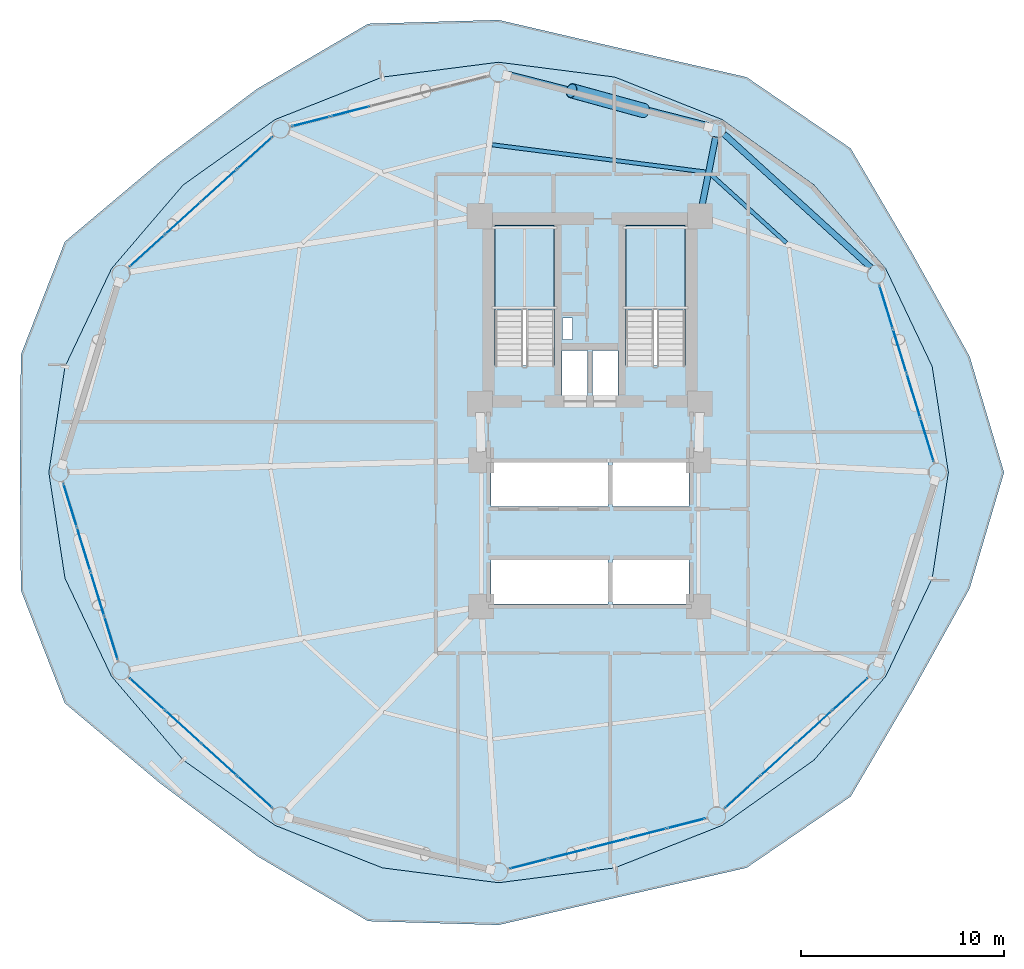
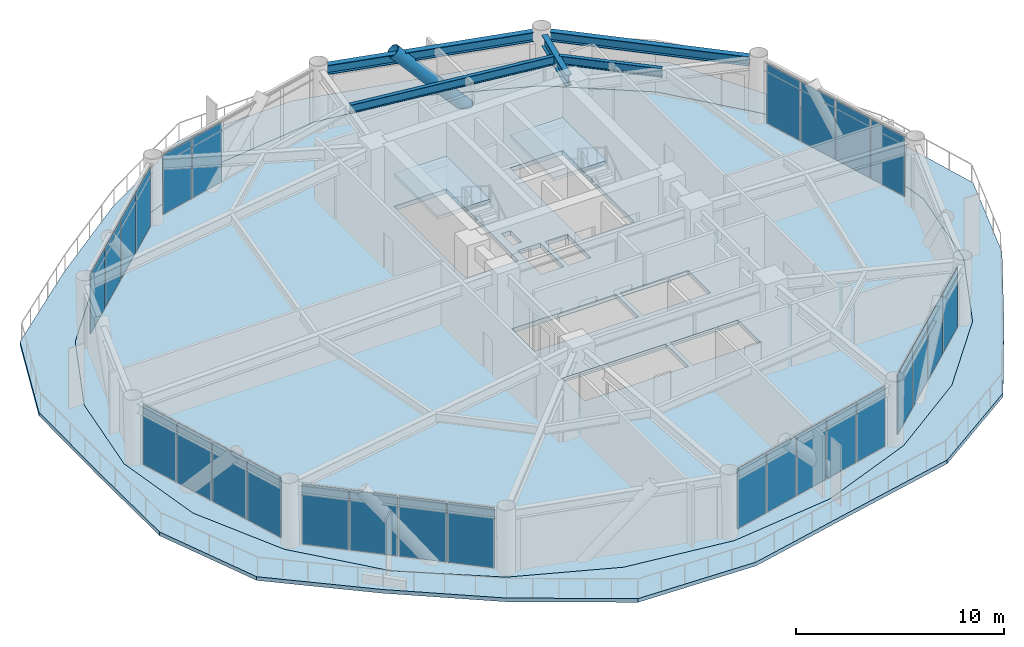
# One storey, part 16 of 22: 27 plates, 5 beams, 4 slabs, 1 member, 9 elements without a shape of their own.
"""IFC4 building model written with IfcOpenShell, lengths in metres."""

from ifc_helpers import new_model, si_unit, direction, frame, origin, origin_2d, place, context, subcontext, project, spatial, polyline, rectangle, hollow_circle, i_section, outline, extrude, source, transform, mapped, material, layer, layer_set, material_profile, profile_set, type_object, type_shapes, element, aggregate, save


model = new_model("IFC4")

# Units and contexts
model_context = context("Model", 3, precision=1e-05, world=origin(), true_north=direction((0.0, 1.0)))
body_context = subcontext(model_context, "Body", "Model", "MODEL_VIEW")
ifc_project = project(units=[si_unit("LENGTHUNIT", "METRE"), si_unit("AREAUNIT", "SQUARE_METRE"), si_unit("VOLUMEUNIT", "CUBIC_METRE"), si_unit("PLANEANGLEUNIT", "RADIAN"), si_unit("MASSUNIT", "GRAM", prefix="KILO")], contexts=[model_context])

# Site, building, storey
site_placement = place(None, origin())
site = spatial("IfcSite", under=ifc_project, at=site_placement, CompositionType="ELEMENT")
building_placement = place(site_placement, origin())
building = spatial("IfcBuilding", under=site, at=building_placement, Name="Varnakorn Sky Granary", CompositionType="ELEMENT")
storey_placement = place(building_placement, frame((0.0, 0.0, 66.60009765625)))
storey = spatial("IfcBuildingStorey", under=building, at=storey_placement, Name="L16", CompositionType="ELEMENT", Elevation=66.60009765625)

# Beams
ifc_material_1 = material(Name="Steel S355JR", Category="steel")
ifc_material_profile_1 = material_profile(ifc_material_1, i_section(OverallWidth=0.300048828125, OverallDepth=0.64990234375, WebThickness=0.01611328125, FlangeThickness=0.031005859375, at=origin_2d()), Name="HE 650 B")
ifc_profile_set_1 = profile_set([ifc_material_profile_1], Name="Steel S355JR")
beam_type_1 = type_object("IfcBeamType", Name="BM-RAD-Z1", PredefinedType="BEAM", material=ifc_profile_set_1)
beam_1_placement = place(storey_placement, frame((8.50146484375, 13.031982421875, 3.31494140625), z_axis=(0.193880644879, 0.981025124827, 0.0), x_axis=(-0.981025124827, 0.193880644879, 0.0)))
element("IfcBeam", 1, at=beam_1_placement, inside=storey, type_object=beam_type_1, Name="Radial Floor Girder RG03 L16", PredefinedType="BEAM", context=body_context, shape_type="SweptSolid", body=[
    extrude(i_section(OverallWidth=0.300048828125, OverallDepth=0.64990234375, WebThickness=0.01611328125, FlangeThickness=0.031005859375, at=origin_2d()), origin(), (0.0, 0.0, 1.0), 3.5712890625),
])
ifc_material_profile_2 = material_profile(ifc_material_1, i_section(OverallWidth=0.199951171875, OverallDepth=0.5, WebThickness=0.01025390625, FlangeThickness=0.01611328125, at=origin_2d()), Name="IPE 500")
ifc_profile_set_2 = profile_set([ifc_material_profile_2], Name="Steel S355JR")
beam_type_2 = type_object("IfcBeamType", Name="BM-SEC-Z1", PredefinedType="BEAM", material=ifc_profile_set_2)
beam_2_placement = place(storey_placement, frame((12.68115234375, 11.305908203125, 3.389892578125), z_axis=(-0.740619723009, 0.671924419775, 0.0), x_axis=(-0.671924419775, -0.740619723009, 0.0)))
element("IfcBeam", 2, at=beam_2_placement, inside=storey, type_object=beam_type_2, Name="Secondary Floor Chord Beam MSB02 L16", PredefinedType="BEAM", context=body_context, shape_type="SweptSolid", body=[
    extrude(i_section(OverallWidth=0.199951171875, OverallDepth=0.5, WebThickness=0.01025390625, FlangeThickness=0.01611328125, at=origin_2d()), origin(), (0.0, 0.0, 1.0), 5.035888671875),
])
beam_3_placement = place(storey_placement, frame((8.708740234375, 14.801513671875, 3.389892578125), z_axis=(-0.991948980619, 0.126638145314, 0.0), x_axis=(-0.126638145314, -0.991948980619, 0.0)))
element("IfcBeam", 3, at=beam_3_placement, inside=storey, type_object=beam_type_2, Name="Secondary Floor Chord Beam MSB03 L16", PredefinedType="BEAM", context=body_context, shape_type="SweptSolid", body=[
    extrude(i_section(OverallWidth=0.199951171875, OverallDepth=0.5, WebThickness=0.01025390625, FlangeThickness=0.01611328125, at=origin_2d()), origin(), (0.0, 0.0, 1.0), 10.61669921875),
])
ifc_material_profile_3 = material_profile(ifc_material_1, i_section(OverallWidth=0.300048828125, OverallDepth=0.550048828125, WebThickness=0.014892578125, FlangeThickness=0.029052734375, at=origin_2d()), Name="HE 550 B")
ifc_profile_set_3 = profile_set([ifc_material_profile_3], Name="Steel S355JR")
beam_type_3 = type_object("IfcBeamType", Name="BM-SPD-Z1", PredefinedType="SPANDREL", material=ifc_profile_set_3)
beam_4_placement = place(storey_placement, frame((16.843505859375, 10.09423828125, 3.364990234375), z_axis=(-0.740018014029, 0.67258704932, 0.0), x_axis=(-0.67258704932, -0.740018014029, 0.0)))
element("IfcBeam", 4, at=beam_4_placement, inside=storey, type_object=beam_type_3, Name="Perimeter Spandrel Ring Beam RB02 L16", PredefinedType="SPANDREL", context=body_context, shape_type="SweptSolid", body=[
    extrude(i_section(OverallWidth=0.300048828125, OverallDepth=0.550048828125, WebThickness=0.014892578125, FlangeThickness=0.029052734375, at=origin_2d()), origin(), (0.0, 0.0, 1.0), 9.779296875),
])
beam_5_placement = place(storey_placement, frame((8.851318359375, 17.07861328125, 3.364990234375), z_axis=(-0.968748648777, 0.248044462734, 0.0), x_axis=(-0.248044462734, -0.968748648777, 0.0)))
element("IfcBeam", 5, at=beam_5_placement, inside=storey, type_object=beam_type_3, Name="Perimeter Spandrel Ring Beam RB03 L16", PredefinedType="SPANDREL", context=body_context, shape_type="SweptSolid", body=[
    extrude(i_section(OverallWidth=0.300048828125, OverallDepth=0.550048828125, WebThickness=0.014892578125, FlangeThickness=0.029052734375, at=origin_2d()), origin(), (0.0, 0.0, 1.0), 10.2431640625),
])

# Member
ifc_material_2 = material(Name="Steel S460M", Category="steel")
ifc_material_profile_4 = material_profile(ifc_material_2, hollow_circle(Radius=0.35546875, WallThickness=0.02490234375, at=origin_2d()), Name="CHS 711x25")
ifc_profile_set_4 = profile_set([ifc_material_profile_4], Name="Steel S460M")
member_type = type_object("IfcMemberType", Name="MB-DIAG-T0", PredefinedType="BRACE", material=ifc_profile_set_4)
member_placement = place(storey_placement, frame((5.657958984375, 17.827880859375, -0.130126953125), z_axis=(-0.661541626909, 0.182092719577, 0.727464718968), x_axis=(-0.265385153364, -0.964142479291, 0.0)))
element("IfcMember", 6, at=member_placement, inside=storey, type_object=member_type, Name="Perimeter CHS Diagrid Brace DG03 L16", PredefinedType="BRACE", context=body_context, shape_type="SweptSolid", body=[
    extrude(hollow_circle(Radius=0.35546875, WallThickness=0.02490234375, at=origin_2d()), origin(), (0.0, 0.0, 1.0), 5.388427734375),
])

# Stair, slab
ifc_material_3 = material(Name="Concrete C40/50", Category="concrete")
stair_type = type_object("IfcStairType", Name="ST-MAIN-ASSEMBLY", PredefinedType="HALF_TURN_STAIR", material=ifc_material_3)
stair_1_placement = place(storey_placement, origin())
stair_1 = element("IfcStair", 7, at=stair_1_placement, inside=storey, type_object=stair_type, Name="L16 Protected Exit Stair ST-1", PredefinedType="HALF_TURN_STAIR")
ifc_layer_1 = layer(ifc_material_3, 0.199951171875, Name="Concrete C40/50")
ifc_layer_set_1 = layer_set([ifc_layer_1], Name="Concrete C40/50")
slab_type_1 = type_object("IfcSlabType", Name="ST-MAIN-LAND", PredefinedType="LANDING", material=ifc_layer_set_1)
slab_1_placement = place(storey_placement, frame((0.0, 0.0, 1.75)))
slab_1 = element("IfcSlab", 8, at=slab_1_placement, type_object=slab_type_1, Name="ST-1 landing 1", PredefinedType="LANDING", context=body_context, shape_type="SweptSolid", body=[
    extrude(outline(polyline([(1.239990234375, 8.0), (1.239990234375, 12.179931640625), (-1.669921875, 12.179931640625), (-1.669921875, 8.0), (1.239990234375, 8.0)])), origin(), (0.0, 0.0, 1.0), 0.199951171875),
])
aggregate(stair_1, [slab_1])

stair_2_placement = place(storey_placement, origin())
stair_2 = element("IfcStair", 9, at=stair_2_placement, inside=storey, type_object=stair_type, Name="L16 Protected Exit Stair ST-2", PredefinedType="HALF_TURN_STAIR")
slab_2_placement = place(storey_placement, frame((0.0, 0.0, 1.75)))
slab_2 = element("IfcSlab", 10, at=slab_2_placement, type_object=slab_type_1, Name="ST-2 landing 1", PredefinedType="LANDING", context=body_context, shape_type="SweptSolid", body=[
    extrude(outline(polyline([(7.679931640625, 8.0), (7.679931640625, 12.179931640625), (4.77001953125, 12.179931640625), (4.77001953125, 8.0), (7.679931640625, 8.0)])), origin(), (0.0, 0.0, 1.0), 0.199951171875),
])
aggregate(stair_2, [slab_2])

# Slabs
ifc_material_4 = material(Name="Precast concrete C40/50", Category="concrete")
ifc_layer_2 = layer(ifc_material_4, 0.219970703125, Name="Precast concrete C40/50")
ifc_layer_set_2 = layer_set([ifc_layer_2], Name="Precast concrete C40/50")
slab_type_2 = type_object("IfcSlabType", Name="ST-SL-DECK-220", PredefinedType="FLOOR", material=ifc_layer_set_2)
slab_3_placement = place(storey_placement, frame((0.0, 0.0, -0.22021484375)))
element("IfcSlab", 11, at=slab_3_placement, inside=storey, type_object=slab_type_2, Name="Wavy Sky-Farm Balcony Deck L16", PredefinedType="FLOOR", context=body_context, shape_type="SweptSolid", body=[
    extrude(outline(polyline([(23.39892578125, 0.0), (21.70458984375, 5.713623046875), (18.879638671875, 10.792724609375), (15.84228515625, 15.965576171875), (10.717041015625, 19.474365234375), (4.596923828125, 20.873291015625), (-1.5, 22.2919921875), (-7.927001953125, 22.104736328125), (-13.386962890625, 18.902587890625), (-18.182373046875, 15.305419921875), (-22.86962890625, 11.3642578125), (-25.03466796875, 5.80224609375), (-25.0791015625, 0.0), (-25.03466796875, -5.80224609375), (-22.86962890625, -11.3642578125), (-18.182373046875, -15.305419921875), (-13.386962890625, -18.902587890625), (-7.927001953125, -22.104736328125), (-1.5, -22.2919921875), (4.596923828125, -20.873291015625), (10.717041015625, -19.474365234375), (15.84228515625, -15.965576171875), (18.879638671875, -10.792724609375), (21.70458984375, -5.713623046875), (23.39892578125, 0.0)]), holes=[polyline([(20.658935546875, 0.0), (19.860595703125, 5.219482421875), (17.5732421875, 10.03857421875), (14.04150390625, 14.164794921875), (9.511962890625, 17.38720703125), (4.223388671875, 19.479736328125), (-1.5, 20.2119140625), (-7.223388671875, 19.479736328125), (-12.511962890625, 17.38720703125), (-17.04150390625, 14.164794921875), (-20.5732421875, 10.03857421875), (-22.860595703125, 5.219482421875), (-23.658935546875, 0.0), (-22.860595703125, -5.219482421875), (-20.5732421875, -10.03857421875), (-17.04150390625, -14.164794921875), (-12.511962890625, -17.38720703125), (-7.223388671875, -19.479736328125), (-1.5, -20.2119140625), (4.223388671875, -19.479736328125), (9.511962890625, -17.38720703125), (14.04150390625, -14.164794921875), (17.5732421875, -10.03857421875), (19.860595703125, -5.219482421875), (20.658935546875, 0.0)])]), origin(), (0.0, 0.0, 1.0), 0.22021484375),
])
ifc_material_5 = material(Name="Concrete C50/60", Category="concrete")
ifc_layer_3 = layer(ifc_material_5, 0.260009765625, Name="Concrete C50/60")
ifc_layer_set_3 = layer_set([ifc_layer_3], Name="Concrete C50/60")
slab_type_3 = type_object("IfcSlabType", Name="ST-SL-TWR-260", PredefinedType="FLOOR", material=ifc_layer_set_3)
slab_4_placement = place(storey_placement, frame((0.0, 0.0, -0.260009765625)))
element("IfcSlab", 12, at=slab_4_placement, inside=storey, type_object=slab_type_3, Name="Level L16 Structural Floor Slab", PredefinedType="FLOOR", context=body_context, shape_type="SweptSolid", body=[
    extrude(outline(polyline([(20.658935546875, 0.0), (19.860595703125, 5.219482421875), (17.5732421875, 10.03857421875), (14.04150390625, 14.164794921875), (9.511962890625, 17.38720703125), (4.223388671875, 19.479736328125), (-1.5, 20.2119140625), (-7.223388671875, 19.479736328125), (-12.511962890625, 17.38720703125), (-17.04150390625, 14.164794921875), (-20.5732421875, 10.03857421875), (-22.860595703125, 5.219482421875), (-23.658935546875, 0.0), (-22.860595703125, -5.219482421875), (-20.5732421875, -10.03857421875), (-17.04150390625, -14.164794921875), (-12.511962890625, -17.38720703125), (-7.223388671875, -19.479736328125), (-1.5, -20.2119140625), (4.223388671875, -19.479736328125), (9.511962890625, -17.38720703125), (14.04150390625, -14.164794921875), (17.5732421875, -10.03857421875), (19.860595703125, -5.219482421875), (20.658935546875, 0.0)]), holes=[polyline([(1.239990234375, 5.27490234375), (1.239990234375, 12.179931640625), (-1.669921875, 12.179931640625), (-1.669921875, 5.27490234375), (1.239990234375, 5.27490234375)]), polyline([(7.679931640625, 5.27490234375), (7.679931640625, 12.179931640625), (4.77001953125, 12.179931640625), (4.77001953125, 5.27490234375), (7.679931640625, 5.27490234375)]), polyline([(1.659912109375, 6.550048828125), (2.14990234375, 6.550048828125), (2.14990234375, 7.6201171875), (1.659912109375, 7.6201171875), (1.659912109375, 6.550048828125)]), polyline([(1.6201171875, 3.739990234375), (2.8798828125, 3.739990234375), (2.8798828125, 6.010009765625), (1.6201171875, 6.010009765625), (1.6201171875, 3.739990234375)]), polyline([(3.1201171875, 3.739990234375), (4.3798828125, 3.739990234375), (4.3798828125, 6.010009765625), (3.1201171875, 6.010009765625), (3.1201171875, 3.739990234375)]), polyline([(-1.8798828125, -1.679931640625), (3.8798828125, -1.679931640625), (3.8798828125, 0.47998046875), (-1.8798828125, 0.47998046875), (-1.8798828125, -1.679931640625)]), polyline([(4.1201171875, -1.679931640625), (7.8798828125, -1.679931640625), (7.8798828125, 0.47998046875), (4.1201171875, 0.47998046875), (4.1201171875, -1.679931640625)]), polyline([(-1.8798828125, -6.47998046875), (3.8798828125, -6.47998046875), (3.8798828125, -4.320068359375), (-1.8798828125, -4.320068359375), (-1.8798828125, -6.47998046875)]), polyline([(4.1201171875, -6.47998046875), (7.8798828125, -6.47998046875), (7.8798828125, -4.320068359375), (4.1201171875, -4.320068359375), (4.1201171875, -6.47998046875)])]), origin(), (0.0, 0.0, 1.0), 0.260009765625),
])

# Curtain wall, plates
ifc_material_6 = material(Name="Anodised Bronze Aluminium Alloy 6063-T6", Category="aluminium")
ifc_layer_4 = layer(ifc_material_6, 0.18994140625, Name="Anodised Bronze Aluminium Alloy 6063-T6")
ifc_layer_set_4 = layer_set([ifc_layer_4], Name="Anodised Bronze Aluminium Alloy 6063-T6")
curtain_wall_type = type_object("IfcCurtainWallType", Name="CW-FRM-1", PredefinedType="USERDEFINED", material=ifc_layer_set_4)
curtain_wall_1_placement = place(storey_placement, origin())
curtain_wall_1 = element("IfcCurtainWall", 13, at=curtain_wall_1_placement, inside=storey, type_object=curtain_wall_type, Name="Unitised Curtain Wall CW3 CW-L16-B01", ObjectType="CURTAIN WALL", PredefinedType="USERDEFINED")
ifc_material_7 = material(Name="Low-E Tinted Laminated Glass", Category="glass")
ifc_layer_5 = layer(ifc_material_7, 0.028076171875, Name="Low-E Tinted Laminated Glass")
ifc_layer_set_5 = layer_set([ifc_layer_5], Name="Low-E Tinted Laminated Glass")
plate_type = type_object("IfcPlateType", Name="CW-FRM-1-PNL", PredefinedType="CURTAIN_PANEL")
shared_shape_1 = source(origin(), body_context, "Body", "SweptSolid", [
    extrude(rectangle(XDim=2.19091796875, YDim=0.028076171875, at=origin_2d()), origin(), (0.0, 0.0, 1.0), 3.5),
])
plate_1_placement = place(storey_placement, frame((17.593017578125, 8.15576171875, 0.06982421875), z_axis=(0.0, 0.0, 1.0), x_axis=(0.2947866674, -0.955563090917, 0.0)))
plate_1 = element("IfcPlate", 14, at=plate_1_placement, type_object=plate_type, material=ifc_layer_set_5, Name="CW3 vision glazing unit 1.1", PredefinedType="CURTAIN_PANEL", context=body_context, shape_type="MappedRepresentation", body=[
    mapped(shared_shape_1, transform((0.0, 0.0, 0.0), x_axis=(1.0, 0.0, 0.0), y_axis=(0.0, 1.0, 0.0), z_axis=(0.0, 0.0, 1.0), scale=1.0)),
])
plate_2_placement = place(storey_placement, frame((19.613037109375, 1.607666015625, 0.06982421875), z_axis=(0.0, 0.0, 1.0), x_axis=(0.2947866674, -0.955563090917, 0.0)))
plate_2 = element("IfcPlate", 15, at=plate_2_placement, type_object=plate_type, material=ifc_layer_set_5, Name="CW3 vision glazing unit 4.1", PredefinedType="CURTAIN_PANEL", context=body_context, shape_type="MappedRepresentation", body=[
    mapped(shared_shape_1, transform((0.0, 0.0, 0.0), x_axis=(1.0, 0.0, 0.0), y_axis=(0.0, 1.0, 0.0), z_axis=(0.0, 0.0, 1.0), scale=1.0)),
])

curtain_wall_2_placement = place(storey_placement, origin())
curtain_wall_2 = element("IfcCurtainWall", 16, at=curtain_wall_2_placement, inside=storey, type_object=curtain_wall_type, Name="Unitised Curtain Wall CW3 CW-L16-B07", ObjectType="CURTAIN WALL", PredefinedType="USERDEFINED")
plate_3_placement = place(storey_placement, frame((-20.593017578125, -8.15576171875, 0.06982421875), z_axis=(0.0, 0.0, 1.0), x_axis=(-0.2947866674, 0.955563090917, 0.0)))
plate_3 = element("IfcPlate", 17, at=plate_3_placement, type_object=plate_type, material=ifc_layer_set_5, Name="CW3 vision glazing unit 1.1", PredefinedType="CURTAIN_PANEL", context=body_context, shape_type="MappedRepresentation", body=[
    mapped(shared_shape_1, transform((0.0, 0.0, 0.0), x_axis=(1.0, 0.0, 0.0), y_axis=(0.0, 1.0, 0.0), z_axis=(0.0, 0.0, 1.0), scale=1.0)),
])
plate_4_placement = place(storey_placement, frame((-22.613037109375, -1.607666015625, 0.06982421875), z_axis=(0.0, 0.0, 1.0), x_axis=(-0.2947866674, 0.955563090917, 0.0)))
plate_4 = element("IfcPlate", 18, at=plate_4_placement, type_object=plate_type, material=ifc_layer_set_5, Name="CW3 vision glazing unit 4.1", PredefinedType="CURTAIN_PANEL", context=body_context, shape_type="MappedRepresentation", body=[
    mapped(shared_shape_1, transform((0.0, 0.0, 0.0), x_axis=(1.0, 0.0, 0.0), y_axis=(0.0, 1.0, 0.0), z_axis=(0.0, 0.0, 1.0), scale=1.0)),
])

# Plate
ifc_material_8 = material(Name="Opaque Insulated Aluminium Shadow-Box Unit", Category="aluminium")
ifc_layer_6 = layer(ifc_material_8, 0.028076171875, Name="Opaque Insulated Aluminium Shadow-Box Unit")
ifc_layer_set_6 = layer_set([ifc_layer_6], Name="Opaque Insulated Aluminium Shadow-Box Unit")
shared_shape_2 = source(origin(), body_context, "Body", "SweptSolid", [
    extrude(rectangle(XDim=2.225830078125, YDim=0.028076171875, at=origin_2d()), origin(), (0.0, 0.0, 1.0), 3.5),
])
plate_5_placement = place(storey_placement, frame((18.2646484375, 5.978759765625, 0.06982421875), z_axis=(0.0, 0.0, 1.0), x_axis=(0.2947866674, -0.955563090917, 0.0)))
plate_5 = element("IfcPlate", 19, at=plate_5_placement, type_object=plate_type, material=ifc_layer_set_6, Name="CW3 opaque insulated shadow-box unit 2.1", PredefinedType="CURTAIN_PANEL", context=body_context, shape_type="MappedRepresentation", body=[
    mapped(shared_shape_2, transform((0.0, 0.0, 0.0), x_axis=(1.0, 0.0, 0.0), y_axis=(0.0, 1.0, 0.0), z_axis=(0.0, 0.0, 1.0), scale=1.0)),
])

plate_6_placement = place(storey_placement, frame((18.94140625, 3.784912109375, 0.06982421875), z_axis=(0.0, 0.0, 1.0), x_axis=(0.2947866674, -0.955563090917, 0.0)))
plate_6 = element("IfcPlate", 20, at=plate_6_placement, type_object=plate_type, material=ifc_layer_set_6, Name="CW3 opaque insulated shadow-box unit 3.1", PredefinedType="CURTAIN_PANEL", context=body_context, shape_type="MappedRepresentation", body=[
    mapped(shared_shape_2, transform((0.0, 0.0, 0.0), x_axis=(1.0, 0.0, 0.0), y_axis=(0.0, 1.0, 0.0), z_axis=(0.0, 0.0, 1.0), scale=1.0)),
])

aggregate(curtain_wall_1, [plate_1, plate_5, plate_6, plate_2])

plate_7_placement = place(storey_placement, frame((-21.2646484375, -5.978759765625, 0.06982421875), z_axis=(0.0, 0.0, 1.0), x_axis=(-0.2947866674, 0.955563090917, 0.0)))
plate_7 = element("IfcPlate", 21, at=plate_7_placement, type_object=plate_type, material=ifc_layer_set_6, Name="CW3 opaque insulated shadow-box unit 2.1", PredefinedType="CURTAIN_PANEL", context=body_context, shape_type="MappedRepresentation", body=[
    mapped(shared_shape_2, transform((0.0, 0.0, 0.0), x_axis=(1.0, 0.0, 0.0), y_axis=(0.0, 1.0, 0.0), z_axis=(0.0, 0.0, 1.0), scale=1.0)),
])

plate_8_placement = place(storey_placement, frame((-21.94140625, -3.784912109375, 0.06982421875), z_axis=(0.0, 0.0, 1.0), x_axis=(-0.2947866674, 0.955563090917, 0.0)))
plate_8 = element("IfcPlate", 22, at=plate_8_placement, type_object=plate_type, material=ifc_layer_set_6, Name="CW3 opaque insulated shadow-box unit 3.1", PredefinedType="CURTAIN_PANEL", context=body_context, shape_type="MappedRepresentation", body=[
    mapped(shared_shape_2, transform((0.0, 0.0, 0.0), x_axis=(1.0, 0.0, 0.0), y_axis=(0.0, 1.0, 0.0), z_axis=(0.0, 0.0, 1.0), scale=1.0)),
])

aggregate(curtain_wall_2, [plate_3, plate_7, plate_8, plate_4])

# Curtain wall, plate
curtain_wall_3_placement = place(storey_placement, origin())
curtain_wall_3 = element("IfcCurtainWall", 23, at=curtain_wall_3_placement, inside=storey, type_object=curtain_wall_type, Name="Unitised Curtain Wall CW3 CW-L16-B04", ObjectType="CURTAIN WALL", PredefinedType="USERDEFINED")
shared_shape_3 = source(origin(), body_context, "Body", "SweptSolid", [
    extrude(rectangle(XDim=1.905029296875, YDim=0.028076171875, at=origin_2d()), origin(), (0.0, 0.0, 1.0), 3.5),
])
plate_9_placement = place(storey_placement, frame((-10.74560546875, 17.29296875, 0.06982421875), z_axis=(0.0, 0.0, 1.0), x_axis=(0.968705900196, 0.248211359379, 0.0)))
plate_9 = element("IfcPlate", 24, at=plate_9_placement, type_object=plate_type, material=ifc_layer_set_5, Name="CW3 vision glazing unit 1.1", PredefinedType="CURTAIN_PANEL", context=body_context, shape_type="MappedRepresentation", body=[
    mapped(shared_shape_3, transform((0.0, 0.0, 0.0), x_axis=(1.0, 0.0, 0.0), y_axis=(0.0, 1.0, 0.0), z_axis=(0.0, 0.0, 1.0), scale=1.0)),
])

# Curtain wall, plates
curtain_wall_4_placement = place(storey_placement, origin())
curtain_wall_4 = element("IfcCurtainWall", 25, at=curtain_wall_4_placement, inside=storey, type_object=curtain_wall_type, Name="Unitised Curtain Wall CW3 CW-L16-B10", ObjectType="CURTAIN WALL", PredefinedType="USERDEFINED")
plate_10_placement = place(storey_placement, frame((7.74560546875, -17.29296875, 0.06982421875), z_axis=(0.0, 0.0, 1.0), x_axis=(-0.968705900196, -0.248211359379, 0.0)))
plate_10 = element("IfcPlate", 26, at=plate_10_placement, type_object=plate_type, material=ifc_layer_set_5, Name="CW3 vision glazing unit 1.1", PredefinedType="CURTAIN_PANEL", context=body_context, shape_type="MappedRepresentation", body=[
    mapped(shared_shape_3, transform((0.0, 0.0, 0.0), x_axis=(1.0, 0.0, 0.0), y_axis=(0.0, 1.0, 0.0), z_axis=(0.0, 0.0, 1.0), scale=1.0)),
])
plate_11_placement = place(storey_placement, frame((-0.0087890625, -19.27978515625, 0.06982421875), z_axis=(0.0, 0.0, 1.0), x_axis=(-0.968705900196, -0.248211359379, 0.0)))
plate_11 = element("IfcPlate", 27, at=plate_11_placement, type_object=plate_type, material=ifc_layer_set_5, Name="CW3 vision glazing unit 5.1", PredefinedType="CURTAIN_PANEL", context=body_context, shape_type="MappedRepresentation", body=[
    mapped(shared_shape_3, transform((0.0, 0.0, 0.0), x_axis=(1.0, 0.0, 0.0), y_axis=(0.0, 1.0, 0.0), z_axis=(0.0, 0.0, 1.0), scale=1.0)),
])

# Plate
shared_shape_4 = source(origin(), body_context, "Body", "SweptSolid", [
    extrude(rectangle(XDim=1.93994140625, YDim=0.028076171875, at=origin_2d()), origin(), (0.0, 0.0, 1.0), 3.5),
])
plate_12_placement = place(storey_placement, frame((-8.815673828125, 17.78759765625, 0.06982421875), z_axis=(0.0, 0.0, 1.0), x_axis=(0.968705900196, 0.248211359379, 0.0)))
plate_12 = element("IfcPlate", 28, at=plate_12_placement, type_object=plate_type, material=ifc_layer_set_6, Name="CW3 opaque insulated shadow-box unit 2.1", PredefinedType="CURTAIN_PANEL", context=body_context, shape_type="MappedRepresentation", body=[
    mapped(shared_shape_4, transform((0.0, 0.0, 0.0), x_axis=(1.0, 0.0, 0.0), y_axis=(0.0, 1.0, 0.0), z_axis=(0.0, 0.0, 1.0), scale=1.0)),
])

aggregate(curtain_wall_3, [plate_9, plate_12])

plate_13_placement = place(storey_placement, frame((5.815673828125, -17.78759765625, 0.06982421875), z_axis=(0.0, 0.0, 1.0), x_axis=(-0.968705900196, -0.248211359379, 0.0)))
plate_13 = element("IfcPlate", 29, at=plate_13_placement, type_object=plate_type, material=ifc_layer_set_6, Name="CW3 opaque insulated shadow-box unit 2.1", PredefinedType="CURTAIN_PANEL", context=body_context, shape_type="MappedRepresentation", body=[
    mapped(shared_shape_4, transform((0.0, 0.0, 0.0), x_axis=(1.0, 0.0, 0.0), y_axis=(0.0, 1.0, 0.0), z_axis=(0.0, 0.0, 1.0), scale=1.0)),
])

plate_14_placement = place(storey_placement, frame((3.868408203125, -18.286376953125, 0.06982421875), z_axis=(0.0, 0.0, 1.0), x_axis=(-0.968705900196, -0.248211359379, 0.0)))
plate_14 = element("IfcPlate", 30, at=plate_14_placement, type_object=plate_type, material=ifc_layer_set_6, Name="CW3 opaque insulated shadow-box unit 3.1", PredefinedType="CURTAIN_PANEL", context=body_context, shape_type="MappedRepresentation", body=[
    mapped(shared_shape_4, transform((0.0, 0.0, 0.0), x_axis=(1.0, 0.0, 0.0), y_axis=(0.0, 1.0, 0.0), z_axis=(0.0, 0.0, 1.0), scale=1.0)),
])

plate_15_placement = place(storey_placement, frame((1.92138671875, -18.785400390625, 0.06982421875), z_axis=(0.0, 0.0, 1.0), x_axis=(-0.968705900196, -0.248211359379, 0.0)))
plate_15 = element("IfcPlate", 31, at=plate_15_placement, type_object=plate_type, material=ifc_layer_set_6, Name="CW3 opaque insulated shadow-box unit 4.1", PredefinedType="CURTAIN_PANEL", context=body_context, shape_type="MappedRepresentation", body=[
    mapped(shared_shape_4, transform((0.0, 0.0, 0.0), x_axis=(1.0, 0.0, 0.0), y_axis=(0.0, 1.0, 0.0), z_axis=(0.0, 0.0, 1.0), scale=1.0)),
])

aggregate(curtain_wall_4, [plate_10, plate_13, plate_14, plate_15, plate_11])

# Curtain wall, plates
curtain_wall_5_placement = place(storey_placement, origin())
curtain_wall_5 = element("IfcCurtainWall", 32, at=curtain_wall_5_placement, inside=storey, type_object=curtain_wall_type, Name="Unitised Curtain Wall CW3 CW-L16-B05", ObjectType="CURTAIN WALL", PredefinedType="USERDEFINED")
shared_shape_5 = source(origin(), body_context, "Body", "SweptSolid", [
    extrude(rectangle(XDim=2.29248046875, YDim=0.028076171875, at=origin_2d()), origin(), (0.0, 0.0, 1.0), 3.5),
])
plate_16_placement = place(storey_placement, frame((-18.814697265625, 10.929443359375, 0.06982421875), z_axis=(0.0, 0.0, 1.0), x_axis=(0.739846641446, 0.672775554803, 0.0)))
plate_16 = element("IfcPlate", 33, at=plate_16_placement, type_object=plate_type, material=ifc_layer_set_5, Name="CW3 vision glazing unit 1.1", PredefinedType="CURTAIN_PANEL", context=body_context, shape_type="MappedRepresentation", body=[
    mapped(shared_shape_5, transform((0.0, 0.0, 0.0), x_axis=(1.0, 0.0, 0.0), y_axis=(0.0, 1.0, 0.0), z_axis=(0.0, 0.0, 1.0), scale=1.0)),
])
plate_17_placement = place(storey_placement, frame((-13.519287109375, 15.744873046875, 0.06982421875), z_axis=(0.0, 0.0, 1.0), x_axis=(0.739846641446, 0.672775554803, 0.0)))
plate_17 = element("IfcPlate", 34, at=plate_17_placement, type_object=plate_type, material=ifc_layer_set_5, Name="CW3 vision glazing unit 4.1", PredefinedType="CURTAIN_PANEL", context=body_context, shape_type="MappedRepresentation", body=[
    mapped(shared_shape_5, transform((0.0, 0.0, 0.0), x_axis=(1.0, 0.0, 0.0), y_axis=(0.0, 1.0, 0.0), z_axis=(0.0, 0.0, 1.0), scale=1.0)),
])

curtain_wall_6_placement = place(storey_placement, origin())
curtain_wall_6 = element("IfcCurtainWall", 35, at=curtain_wall_6_placement, inside=storey, type_object=curtain_wall_type, Name="Unitised Curtain Wall CW3 CW-L16-B08", ObjectType="CURTAIN WALL", PredefinedType="USERDEFINED")
plate_18_placement = place(storey_placement, frame((-13.519287109375, -15.744873046875, 0.06982421875), z_axis=(0.0, 0.0, 1.0), x_axis=(-0.739846641446, 0.672775554803, 0.0)))
plate_18 = element("IfcPlate", 36, at=plate_18_placement, type_object=plate_type, material=ifc_layer_set_5, Name="CW3 vision glazing unit 1.1", PredefinedType="CURTAIN_PANEL", context=body_context, shape_type="MappedRepresentation", body=[
    mapped(shared_shape_5, transform((0.0, 0.0, 0.0), x_axis=(1.0, 0.0, 0.0), y_axis=(0.0, 1.0, 0.0), z_axis=(0.0, 0.0, 1.0), scale=1.0)),
])
plate_19_placement = place(storey_placement, frame((-18.814697265625, -10.929443359375, 0.06982421875), z_axis=(0.0, 0.0, 1.0), x_axis=(-0.739846641446, 0.672775554803, 0.0)))
plate_19 = element("IfcPlate", 37, at=plate_19_placement, type_object=plate_type, material=ifc_layer_set_5, Name="CW3 vision glazing unit 4.1", PredefinedType="CURTAIN_PANEL", context=body_context, shape_type="MappedRepresentation", body=[
    mapped(shared_shape_5, transform((0.0, 0.0, 0.0), x_axis=(1.0, 0.0, 0.0), y_axis=(0.0, 1.0, 0.0), z_axis=(0.0, 0.0, 1.0), scale=1.0)),
])

curtain_wall_7_placement = place(storey_placement, origin())
curtain_wall_7 = element("IfcCurtainWall", 38, at=curtain_wall_7_placement, inside=storey, type_object=curtain_wall_type, Name="Unitised Curtain Wall CW3 CW-L16-B11", ObjectType="CURTAIN WALL", PredefinedType="USERDEFINED")
plate_20_placement = place(storey_placement, frame((15.814697265625, -10.929443359375, 0.06982421875), z_axis=(0.0, 0.0, 1.0), x_axis=(-0.739846641446, -0.672775554803, 0.0)))
plate_20 = element("IfcPlate", 39, at=plate_20_placement, type_object=plate_type, material=ifc_layer_set_5, Name="CW3 vision glazing unit 1.1", PredefinedType="CURTAIN_PANEL", context=body_context, shape_type="MappedRepresentation", body=[
    mapped(shared_shape_5, transform((0.0, 0.0, 0.0), x_axis=(1.0, 0.0, 0.0), y_axis=(0.0, 1.0, 0.0), z_axis=(0.0, 0.0, 1.0), scale=1.0)),
])
plate_21_placement = place(storey_placement, frame((10.519287109375, -15.744873046875, 0.06982421875), z_axis=(0.0, 0.0, 1.0), x_axis=(-0.739846641446, -0.672775554803, 0.0)))
plate_21 = element("IfcPlate", 40, at=plate_21_placement, type_object=plate_type, material=ifc_layer_set_5, Name="CW3 vision glazing unit 4.1", PredefinedType="CURTAIN_PANEL", context=body_context, shape_type="MappedRepresentation", body=[
    mapped(shared_shape_5, transform((0.0, 0.0, 0.0), x_axis=(1.0, 0.0, 0.0), y_axis=(0.0, 1.0, 0.0), z_axis=(0.0, 0.0, 1.0), scale=1.0)),
])

# Plate
shared_shape_6 = source(origin(), body_context, "Body", "SweptSolid", [
    extrude(rectangle(XDim=2.327392578125, YDim=0.028076171875, at=origin_2d()), origin(), (0.0, 0.0, 1.0), 3.5),
])
type_shapes(plate_type, [shared_shape_1, shared_shape_2, shared_shape_3, shared_shape_4, shared_shape_5, shared_shape_6])
plate_22_placement = place(storey_placement, frame((-17.053955078125, 12.53076171875, 0.06982421875), z_axis=(0.0, 0.0, 1.0), x_axis=(0.739846641446, 0.672775554803, 0.0)))
plate_22 = element("IfcPlate", 41, at=plate_22_placement, type_object=plate_type, material=ifc_layer_set_6, Name="CW3 opaque insulated shadow-box unit 2.1", PredefinedType="CURTAIN_PANEL", context=body_context, shape_type="MappedRepresentation", body=[
    mapped(shared_shape_6, transform((0.0, 0.0, 0.0), x_axis=(1.0, 0.0, 0.0), y_axis=(0.0, 1.0, 0.0), z_axis=(0.0, 0.0, 1.0), scale=1.0)),
])

plate_23_placement = place(storey_placement, frame((-15.280029296875, 14.1435546875, 0.06982421875), z_axis=(0.0, 0.0, 1.0), x_axis=(0.739846641446, 0.672775554803, 0.0)))
plate_23 = element("IfcPlate", 42, at=plate_23_placement, type_object=plate_type, material=ifc_layer_set_6, Name="CW3 opaque insulated shadow-box unit 3.1", PredefinedType="CURTAIN_PANEL", context=body_context, shape_type="MappedRepresentation", body=[
    mapped(shared_shape_6, transform((0.0, 0.0, 0.0), x_axis=(1.0, 0.0, 0.0), y_axis=(0.0, 1.0, 0.0), z_axis=(0.0, 0.0, 1.0), scale=1.0)),
])

aggregate(curtain_wall_5, [plate_16, plate_22, plate_23, plate_17])

plate_24_placement = place(storey_placement, frame((-15.280029296875, -14.1435546875, 0.06982421875), z_axis=(0.0, 0.0, 1.0), x_axis=(-0.739846641446, 0.672775554803, 0.0)))
plate_24 = element("IfcPlate", 43, at=plate_24_placement, type_object=plate_type, material=ifc_layer_set_6, Name="CW3 opaque insulated shadow-box unit 2.1", PredefinedType="CURTAIN_PANEL", context=body_context, shape_type="MappedRepresentation", body=[
    mapped(shared_shape_6, transform((0.0, 0.0, 0.0), x_axis=(1.0, 0.0, 0.0), y_axis=(0.0, 1.0, 0.0), z_axis=(0.0, 0.0, 1.0), scale=1.0)),
])

plate_25_placement = place(storey_placement, frame((-17.053955078125, -12.53076171875, 0.06982421875), z_axis=(0.0, 0.0, 1.0), x_axis=(-0.739846641446, 0.672775554803, 0.0)))
plate_25 = element("IfcPlate", 44, at=plate_25_placement, type_object=plate_type, material=ifc_layer_set_6, Name="CW3 opaque insulated shadow-box unit 3.1", PredefinedType="CURTAIN_PANEL", context=body_context, shape_type="MappedRepresentation", body=[
    mapped(shared_shape_6, transform((0.0, 0.0, 0.0), x_axis=(1.0, 0.0, 0.0), y_axis=(0.0, 1.0, 0.0), z_axis=(0.0, 0.0, 1.0), scale=1.0)),
])

aggregate(curtain_wall_6, [plate_18, plate_24, plate_25, plate_19])

plate_26_placement = place(storey_placement, frame((14.053955078125, -12.53076171875, 0.06982421875), z_axis=(0.0, 0.0, 1.0), x_axis=(-0.739846641446, -0.672775554803, 0.0)))
plate_26 = element("IfcPlate", 45, at=plate_26_placement, type_object=plate_type, material=ifc_layer_set_6, Name="CW3 opaque insulated shadow-box unit 2.1", PredefinedType="CURTAIN_PANEL", context=body_context, shape_type="MappedRepresentation", body=[
    mapped(shared_shape_6, transform((0.0, 0.0, 0.0), x_axis=(1.0, 0.0, 0.0), y_axis=(0.0, 1.0, 0.0), z_axis=(0.0, 0.0, 1.0), scale=1.0)),
])

plate_27_placement = place(storey_placement, frame((12.280029296875, -14.1435546875, 0.06982421875), z_axis=(0.0, 0.0, 1.0), x_axis=(-0.739846641446, -0.672775554803, 0.0)))
plate_27 = element("IfcPlate", 46, at=plate_27_placement, type_object=plate_type, material=ifc_layer_set_6, Name="CW3 opaque insulated shadow-box unit 3.1", PredefinedType="CURTAIN_PANEL", context=body_context, shape_type="MappedRepresentation", body=[
    mapped(shared_shape_6, transform((0.0, 0.0, 0.0), x_axis=(1.0, 0.0, 0.0), y_axis=(0.0, 1.0, 0.0), z_axis=(0.0, 0.0, 1.0), scale=1.0)),
])

aggregate(curtain_wall_7, [plate_20, plate_26, plate_27, plate_21])

save(model, "model.ifc")
